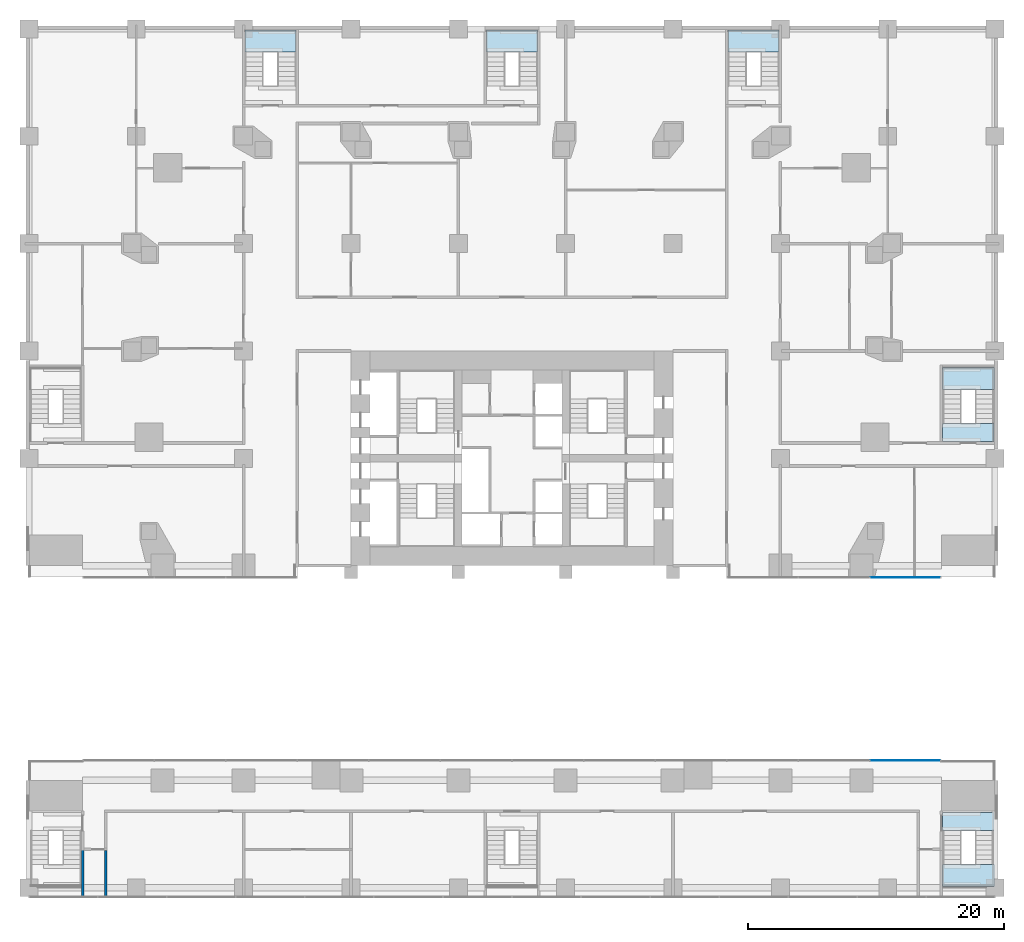
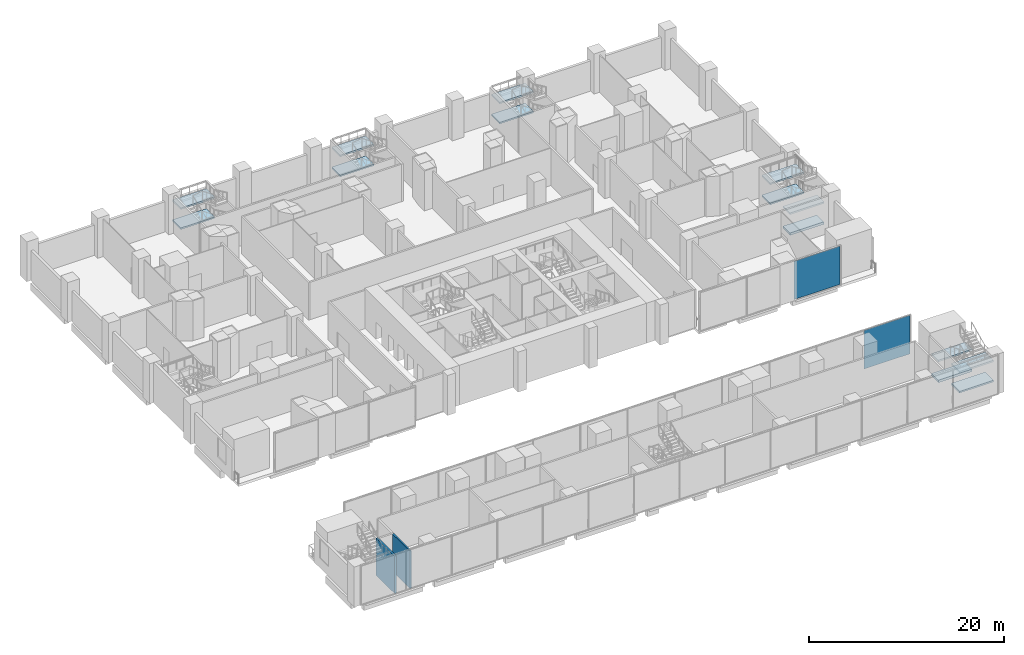
# One storey, part 10 of 24: 14 slabs, 2 plates, 2 walls, 7 elements without a shape of their own.
"""IFC4 building model written with IfcOpenShell, lengths in metres."""

import ifcopenshell
import ifcopenshell.guid

model = None  # the IFC model being written
_history = None  # IfcOwnerHistory: only IFC2X3 demands one
_inside = {}  # id of a spatial element -> (the spatial element, [elements in it])
_under = {}  # id of a project, library or spatial element -> (it, [spatial elements below it])
_declared = {}  # id of a project -> (the project, [libraries it declares])
_typed = {}  # id of a type object -> (the type object, [elements of that type])
_made_of = {}  # id of a material, layer set ... -> (it, [elements and type objects made of it])


def new_model(schema):
    """Start an empty IFC model of exactly this schema.

    Asked for "IFC4X3", IfcOpenShell would pick the latest addendum, in which some entities
    have other attributes; the version numbers below select the first issue.
    IFC2X3 requires an IfcOwnerHistory on every rooted entity: one is made here for all.
    """
    global model, _history
    if schema == "IFC4X3":
        model = ifcopenshell.file(schema_version=(4, 3, 0, 0))
    else:
        model = ifcopenshell.file(schema=schema)
    _inside.clear()
    _under.clear()
    _declared.clear()
    _typed.clear()
    _made_of.clear()
    _history = None
    if model.schema == "IFC2X3":
        org = make("IfcOrganization", Name="unknown")
        user = make(
            "IfcPersonAndOrganization",
            ThePerson=make("IfcPerson", FamilyName="unknown"),
            TheOrganization=org,
        )
        app = make(
            "IfcApplication",
            ApplicationDeveloper=org,
            Version="unknown",
            ApplicationFullName="unknown",
            ApplicationIdentifier="unknown",
        )
        _history = make(
            "IfcOwnerHistory",
            OwningUser=user,
            OwningApplication=app,
            ChangeAction="ADDED",
            CreationDate=0,
        )
    return model


def make(cls, **values):
    """One entity of the class cls with the attributes given. An attribute that is None is left unset."""
    return model.create_entity(
        cls, **{name: value for name, value in values.items() if value is not None}
    )


def rooted(cls, **values):
    """An entity with a GlobalId (a new one), such as an element, a storey or a relation."""
    return make(cls, GlobalId=ifcopenshell.guid.new(), OwnerHistory=_history, **values)


def si_unit(unit_type, name, prefix=None):
    """IfcSIUnit, for example si_unit("LENGTHUNIT", "METRE", prefix="MILLI")."""
    return make("IfcSIUnit", UnitType=unit_type, Prefix=prefix, Name=name)


def assignment(units):
    """IfcUnitAssignment: the units of a project."""
    return None if units is None else make("IfcUnitAssignment", Units=units)


def point(xyz):
    """IfcCartesianPoint."""
    return None if xyz is None else make("IfcCartesianPoint", Coordinates=xyz)


def direction(xyz):
    """IfcDirection."""
    return None if xyz is None else make("IfcDirection", DirectionRatios=xyz)


def frame(location, z_axis=None, x_axis=None):
    """IfcAxis2Placement3D, a coordinate frame: its origin and axes. An axis left out is left unset."""
    return make(
        "IfcAxis2Placement3D",
        Location=point(location),
        Axis=direction(z_axis),
        RefDirection=direction(x_axis),
    )


def frame_2d(location, x_axis=None):
    """IfcAxis2Placement2D, a coordinate frame in the plane: its origin and x axis."""
    return make(
        "IfcAxis2Placement2D", Location=point(location), RefDirection=direction(x_axis)
    )


def origin():
    """The frame at (0, 0, 0) with its axes left unset."""
    return frame((0.0, 0.0, 0.0))


def origin_2d():
    """The frame at (0, 0) in the plane with its x axis left unset."""
    return frame_2d((0.0, 0.0))


def place(relative_to, where):
    """IfcLocalPlacement: puts the frame where relative to a parent placement (None: the world)."""
    return make(
        "IfcLocalPlacement", PlacementRelTo=relative_to, RelativePlacement=where
    )


def context(
    kind, dimensions, precision=None, world=None, true_north=None, identifier=None
):
    """IfcGeometricRepresentationContext, for example the 3D "Model" context."""
    return make(
        "IfcGeometricRepresentationContext",
        ContextIdentifier=identifier,
        ContextType=kind,
        CoordinateSpaceDimension=dimensions,
        Precision=precision,
        WorldCoordinateSystem=world,
        TrueNorth=true_north,
    )


def subcontext(parent, identifier, kind, view, scale=None):
    """IfcGeometricRepresentationSubContext, for example "Body" below "Model"."""
    return make(
        "IfcGeometricRepresentationSubContext",
        ContextIdentifier=identifier,
        ContextType=kind,
        ParentContext=parent,
        TargetScale=scale,
        TargetView=view,
    )


def project(units=None, contexts=None):
    """IfcProject with its units and contexts."""
    return rooted(
        "IfcProject",
        Name="project",
        RepresentationContexts=contexts,
        UnitsInContext=assignment(units),
    )


def spatial(cls, under=None, at=None, **own):
    """A site, building, storey or space (cls), placed at a placement, below another one or the project."""
    s = rooted(cls, ObjectPlacement=at, **own)
    if under is not None:
        _under.setdefault(under.id(), (under, []))[1].append(s)
    return s


def polyline(points):
    """IfcPolyline through the points."""
    return make("IfcPolyline", Points=[point(p) for p in points])


def profile(cls, at=None, kind="AREA", **sizes):
    """A parametric profile (cls). Its sizes go by their IFC names, for example OverallWidth=200.0."""
    return make(cls, ProfileType=kind, Position=at, **sizes)


def rectangle(**sizes):
    """IfcRectangleProfileDef."""
    return profile("IfcRectangleProfileDef", **sizes)


def outline(outer, holes=None, kind="AREA"):
    """IfcArbitraryClosedProfileDef: a profile drawn as a closed curve; with holes, ...WithVoids."""
    if holes is None:
        return make("IfcArbitraryClosedProfileDef", ProfileType=kind, OuterCurve=outer)
    return make(
        "IfcArbitraryProfileDefWithVoids",
        ProfileType=kind,
        OuterCurve=outer,
        InnerCurves=holes,
    )


def extrude(swept, where, along, depth):
    """IfcExtrudedAreaSolid: the profile swept, set in the frame where, extruded along a direction by depth."""
    return make(
        "IfcExtrudedAreaSolid",
        SweptArea=swept,
        Position=where,
        ExtrudedDirection=direction(along),
        Depth=depth,
    )


def shape(context_of_items, identifier, shape_type, items):
    """IfcShapeRepresentation: the items that make up one representation, for example the "Body"."""
    return make(
        "IfcShapeRepresentation",
        ContextOfItems=context_of_items,
        RepresentationIdentifier=identifier,
        RepresentationType=shape_type,
        Items=items,
    )


def material(Name=None, Category=None):
    """IfcMaterial."""
    return make("IfcMaterial", Name=Name, Category=Category)


def layer(
    of_material, thickness, ventilated=None, Name=None, Category=None, Priority=None
):
    """IfcMaterialLayer: one layer of a wall or slab, of a material (None: an air gap)."""
    return make(
        "IfcMaterialLayer",
        Material=of_material,
        LayerThickness=thickness,
        IsVentilated=ventilated,
        Name=Name,
        Category=Category,
        Priority=Priority,
    )


def layer_set(layers, Name=None):
    """IfcMaterialLayerSet."""
    return make("IfcMaterialLayerSet", MaterialLayers=layers, LayerSetName=Name)


def made_of(thing, what):
    """Note that an element or type object is made of a material, layer set ...; save() writes the relation."""
    if what is not None:
        _made_of.setdefault(what.id(), (what, []))[1].append(thing)
    return thing


def type_object(cls, material=None, **own):
    """A type object (cls), such as IfcWallType, which elements share."""
    return made_of(rooted(cls, **own), material)


def element(
    cls,
    number,
    at=None,
    inside=None,
    cuts=None,
    type_object=None,
    material=None,
    context=None,
    identifier="Body",
    shape_type=None,
    held_by="IfcProductDefinitionShape",
    body=None,
    shapes=None,
    **own,
):
    """One element of the class cls, such as IfcWall. Its Tag is "e" and its number.

    at: its placement. inside: the storey or other place that contains it. cuts: it is an
    opening in that element (IfcRelVoidsElement). A single representation is given by context,
    identifier, shape_type and body (its items); several are given by shapes. held_by: the class
    of the entity that holds the representations. save() writes the other relations.
    """
    e = rooted(cls, Tag="e%d" % number, ObjectPlacement=at, **own)
    if body is not None:
        shapes = [shape(context, identifier, shape_type, body)]
    if shapes is not None:
        e.Representation = make(held_by, Representations=shapes)
    if inside is not None:
        _inside.setdefault(inside.id(), (inside, []))[1].append(e)
    if cuts is not None:
        rooted(
            "IfcRelVoidsElement", RelatingBuildingElement=cuts, RelatedOpeningElement=e
        )
    if type_object is not None:
        _typed.setdefault(type_object.id(), (type_object, []))[1].append(e)
    return made_of(e, material)


def aggregate(whole, parts):
    """IfcRelAggregates: a whole, such as a stair, and the parts it consists of."""
    return rooted("IfcRelAggregates", RelatingObject=whole, RelatedObjects=parts)


def save(model, path):
    """Write the relations noted so far, then the file.

    IfcRelAggregates (storeys below a building ...), IfcRelContainedInSpatialStructure (elements
    in a storey), IfcRelDefinesByType, IfcRelAssociatesMaterial and IfcRelDeclares: one each for
    every whole, place, type object, material and project.
    """
    for whole, parts in _under.values():
        aggregate(whole, parts)
    for where, things in _inside.values():
        rooted(
            "IfcRelContainedInSpatialStructure",
            RelatedElements=things,
            RelatingStructure=where,
        )
    for kind, things in _typed.values():
        rooted("IfcRelDefinesByType", RelatedObjects=things, RelatingType=kind)
    for what, things in _made_of.values():
        rooted("IfcRelAssociatesMaterial", RelatedObjects=things, RelatingMaterial=what)
    for by, libraries in _declared.values():
        rooted("IfcRelDeclares", RelatingContext=by, RelatedDefinitions=libraries)
    model.write(path)


model = new_model("IFC4")

# Units and contexts
model_context = context("Model", 3, precision=1e-05, world=origin(), true_north=direction((0.0, 1.0)))
body_context = subcontext(model_context, "Body", "Model", "MODEL_VIEW")
ifc_project = project(units=[si_unit("LENGTHUNIT", "METRE"), si_unit("AREAUNIT", "SQUARE_METRE"), si_unit("VOLUMEUNIT", "CUBIC_METRE"), si_unit("PLANEANGLEUNIT", "RADIAN"), si_unit("MASSUNIT", "GRAM", prefix="KILO")], contexts=[model_context])

# Site, building, storey
site_placement = place(None, origin())
site = spatial("IfcSite", under=ifc_project, at=site_placement, CompositionType="ELEMENT")
building_placement = place(site_placement, origin())
building = spatial("IfcBuilding", under=site, at=building_placement, Name="Marenta Gate Hotel Tower", CompositionType="ELEMENT")
storey_placement = place(building_placement, frame((0.0, 0.0, 8.0)))
storey = spatial("IfcBuildingStorey", under=building, at=storey_placement, Name="L01", CompositionType="ELEMENT", Elevation=8.0)

# Stair, slabs
ifc_material_1 = material(Name="Concrete C40", Category="concrete")
stair_type = type_object("IfcStairType", Name="Podium exit stair 1430 wide", PredefinedType="HALF_TURN_STAIR", material=ifc_material_1)
stair_1_placement = place(storey_placement, origin())
stair_1 = element("IfcStair", 1, at=stair_1_placement, inside=storey, type_object=stair_type, Name="Podium exit stair 2", PredefinedType="HALF_TURN_STAIR")
ifc_material_2 = material(Name="Concrete C40", Category="concrete")
ifc_layer_1 = layer(ifc_material_2, 0.199951171875)
ifc_layer_set_1 = layer_set([ifc_layer_1], Name="Concrete C40")
slab_type_1 = type_object("IfcSlabType", Name="Core stair landing 200", PredefinedType="LANDING", material=ifc_layer_set_1)
slab_1_placement = place(storey_placement, frame((0.0, 0.0, 1.050048828125)))
slab_1 = element("IfcSlab", 2, at=slab_1_placement, type_object=slab_type_1, Name="SL-200 PX2 landing 1", PredefinedType="LANDING", context=body_context, shape_type="SweptSolid", body=[
    extrude(outline(polyline([(33.699951171875, -25.10009765625), (37.739990234375, -25.10009765625), (37.739990234375, -23.389892578125), (33.699951171875, -23.389892578125), (33.699951171875, -25.10009765625)])), origin(), (0.0, 0.0, 1.0), 0.199951171875),
])
slab_2_placement = place(storey_placement, frame((0.0, 0.0, 2.300048828125)))
slab_2 = element("IfcSlab", 3, at=slab_2_placement, type_object=slab_type_1, Name="SL-200 PX2 landing 2", PredefinedType="LANDING", context=body_context, shape_type="SweptSolid", body=[
    extrude(outline(polyline([(33.699951171875, -20.72998046875), (37.739990234375, -20.72998046875), (37.739990234375, -19.300048828125), (33.699951171875, -19.300048828125), (33.699951171875, -20.72998046875)])), origin(), (0.0, 0.0, 1.0), 0.199951171875),
])
slab_3_placement = place(storey_placement, frame((0.0, 0.0, 3.550048828125)))
slab_3 = element("IfcSlab", 4, at=slab_3_placement, type_object=slab_type_1, Name="SL-200 PX2 landing 3", PredefinedType="LANDING", context=body_context, shape_type="SweptSolid", body=[
    extrude(outline(polyline([(33.699951171875, -25.10009765625), (37.739990234375, -25.10009765625), (37.739990234375, -23.389892578125), (33.699951171875, -23.389892578125), (33.699951171875, -25.10009765625)])), origin(), (0.0, 0.0, 1.0), 0.199951171875),
])
aggregate(stair_1, [slab_1, slab_2, slab_3])

stair_2_placement = place(storey_placement, origin())
stair_2 = element("IfcStair", 5, at=stair_2_placement, inside=storey, type_object=stair_type, Name="Podium exit stair 3", PredefinedType="HALF_TURN_STAIR")
slab_4_placement = place(storey_placement, frame((0.0, 0.0, 1.050048828125)))
slab_4 = element("IfcSlab", 6, at=slab_4_placement, type_object=slab_type_1, Name="SL-200 PX3 landing 1", PredefinedType="LANDING", context=body_context, shape_type="SweptSolid", body=[
    extrude(outline(polyline([(-20.89990234375, 40.18994140625), (-16.89990234375, 40.18994140625), (-16.89990234375, 41.89990234375), (-20.89990234375, 41.89990234375), (-20.89990234375, 40.18994140625)])), origin(), (0.0, 0.0, 1.0), 0.199951171875),
])
slab_5_placement = place(storey_placement, frame((0.0, 0.0, 3.550048828125)))
slab_5 = element("IfcSlab", 7, at=slab_5_placement, type_object=slab_type_1, Name="SL-200 PX3 landing 3", PredefinedType="LANDING", context=body_context, shape_type="SweptSolid", body=[
    extrude(outline(polyline([(-20.89990234375, 40.18994140625), (-16.89990234375, 40.18994140625), (-16.89990234375, 41.89990234375), (-20.89990234375, 41.89990234375), (-20.89990234375, 40.18994140625)])), origin(), (0.0, 0.0, 1.0), 0.199951171875),
])
aggregate(stair_2, [slab_4, slab_5])

stair_3_placement = place(storey_placement, origin())
stair_3 = element("IfcStair", 8, at=stair_3_placement, inside=storey, type_object=stair_type, Name="Podium exit stair 4", PredefinedType="HALF_TURN_STAIR")
slab_6_placement = place(storey_placement, frame((0.0, 0.0, 1.050048828125)))
slab_6 = element("IfcSlab", 9, at=slab_6_placement, type_object=slab_type_1, Name="SL-200 PX4 landing 1", PredefinedType="LANDING", context=body_context, shape_type="SweptSolid", body=[
    extrude(outline(polyline([(16.89990234375, 40.18994140625), (20.89990234375, 40.18994140625), (20.89990234375, 41.89990234375), (16.89990234375, 41.89990234375), (16.89990234375, 40.18994140625)])), origin(), (0.0, 0.0, 1.0), 0.199951171875),
])
slab_7_placement = place(storey_placement, frame((0.0, 0.0, 3.550048828125)))
slab_7 = element("IfcSlab", 10, at=slab_7_placement, type_object=slab_type_1, Name="SL-200 PX4 landing 3", PredefinedType="LANDING", context=body_context, shape_type="SweptSolid", body=[
    extrude(outline(polyline([(16.89990234375, 40.18994140625), (20.89990234375, 40.18994140625), (20.89990234375, 41.89990234375), (16.89990234375, 41.89990234375), (16.89990234375, 40.18994140625)])), origin(), (0.0, 0.0, 1.0), 0.199951171875),
])
aggregate(stair_3, [slab_6, slab_7])

stair_4_placement = place(storey_placement, origin())
stair_4 = element("IfcStair", 11, at=stair_4_placement, inside=storey, type_object=stair_type, Name="Podium exit stair 7", PredefinedType="HALF_TURN_STAIR")
slab_8_placement = place(storey_placement, frame((0.0, 0.0, 1.050048828125)))
slab_8 = element("IfcSlab", 12, at=slab_8_placement, type_object=slab_type_1, Name="SL-200 PX7 landing 1", PredefinedType="LANDING", context=body_context, shape_type="SweptSolid", body=[
    extrude(outline(polyline([(33.699951171875, 13.7900390625), (37.739990234375, 13.7900390625), (37.739990234375, 15.5), (33.699951171875, 15.5), (33.699951171875, 13.7900390625)])), origin(), (0.0, 0.0, 1.0), 0.199951171875),
])
slab_9_placement = place(storey_placement, frame((0.0, 0.0, 2.300048828125)))
slab_9 = element("IfcSlab", 13, at=slab_9_placement, type_object=slab_type_1, Name="SL-200 PX7 landing 2", PredefinedType="LANDING", context=body_context, shape_type="SweptSolid", body=[
    extrude(outline(polyline([(33.699951171875, 9.699951171875), (37.739990234375, 9.699951171875), (37.739990234375, 11.1298828125), (33.699951171875, 11.1298828125), (33.699951171875, 9.699951171875)])), origin(), (0.0, 0.0, 1.0), 0.199951171875),
])
slab_10_placement = place(storey_placement, frame((0.0, 0.0, 3.550048828125)))
slab_10 = element("IfcSlab", 14, at=slab_10_placement, type_object=slab_type_1, Name="SL-200 PX7 landing 3", PredefinedType="LANDING", context=body_context, shape_type="SweptSolid", body=[
    extrude(outline(polyline([(33.699951171875, 13.7900390625), (37.739990234375, 13.7900390625), (37.739990234375, 15.5), (33.699951171875, 15.5), (33.699951171875, 13.7900390625)])), origin(), (0.0, 0.0, 1.0), 0.199951171875),
])
aggregate(stair_4, [slab_8, slab_9, slab_10])

stair_5_placement = place(storey_placement, origin())
stair_5 = element("IfcStair", 15, at=stair_5_placement, inside=storey, type_object=stair_type, Name="Podium exit stair 8", PredefinedType="HALF_TURN_STAIR")
slab_11_placement = place(storey_placement, frame((0.0, 0.0, 1.050048828125)))
slab_11 = element("IfcSlab", 16, at=slab_11_placement, type_object=slab_type_1, Name="SL-200 PX8 landing 1", PredefinedType="LANDING", context=body_context, shape_type="SweptSolid", body=[
    extrude(outline(polyline([(-2.0, 40.18994140625), (2.0, 40.18994140625), (2.0, 41.89990234375), (-2.0, 41.89990234375), (-2.0, 40.18994140625)])), origin(), (0.0, 0.0, 1.0), 0.199951171875),
])
slab_12_placement = place(storey_placement, frame((0.0, 0.0, 3.550048828125)))
slab_12 = element("IfcSlab", 17, at=slab_12_placement, type_object=slab_type_1, Name="SL-200 PX8 landing 3", PredefinedType="LANDING", context=body_context, shape_type="SweptSolid", body=[
    extrude(outline(polyline([(-2.0, 40.18994140625), (2.0, 40.18994140625), (2.0, 41.89990234375), (-2.0, 41.89990234375), (-2.0, 40.18994140625)])), origin(), (0.0, 0.0, 1.0), 0.199951171875),
])
aggregate(stair_5, [slab_11, slab_12])

# Curtain wall, plate
ifc_material_3 = material(Name="Tinted insulated glass in bronze anodised frame", Category="glass")
ifc_layer_2 = layer(ifc_material_3, 0.1298828125)
ifc_layer_set_2 = layer_set([ifc_layer_2], Name="Tinted insulated glass in bronze anodised frame")
curtain_wall_type_1 = type_object("IfcCurtainWallType", Name="Podium shopfront glazing CW5", PredefinedType="NOTDEFINED", material=ifc_layer_set_2)
curtain_wall_1_placement = place(storey_placement, origin())
curtain_wall_1 = element("IfcCurtainWall", 18, at=curtain_wall_1_placement, inside=storey, type_object=curtain_wall_type_1, Name="CW5 run SB-N000", PredefinedType="NOTDEFINED")
ifc_material_4 = material(Name="Tinted insulated glass", Category="glass")
ifc_layer_3 = layer(ifc_material_4, 0.033935546875)
ifc_layer_set_3 = layer_set([ifc_layer_3], Name="Tinted insulated glass")
plate_type_1 = type_object("IfcPlateType", Name="Glass panel CW5 34 mm tinted insulated unit", PredefinedType="CURTAIN_PANEL", material=ifc_layer_set_3)
plate_1_placement = place(storey_placement, frame((30.780029296875, -15.255859375, 0.080078125), z_axis=(0.0, 0.0, 1.0), x_axis=(-1.0, 0.0, 0.0)))
plate_1 = element("IfcPlate", 19, at=plate_1_placement, type_object=plate_type_1, Name="CW5 panel 1.1", PredefinedType="CURTAIN_PANEL", context=body_context, shape_type="SweptSolid", body=[
    extrude(rectangle(XDim=5.47998046875, YDim=0.033935546875, at=origin_2d()), origin(), (0.0, 0.0, 1.0), 4.840087890625),
])
aggregate(curtain_wall_1, [plate_1])

ifc_material_5 = material(Name="Tinted insulated glass in bronze anodised frame", Category="glass")
ifc_layer_4 = layer(ifc_material_5, 0.139892578125)
ifc_layer_set_4 = layer_set([ifc_layer_4], Name="Tinted insulated glass in bronze anodised frame")
curtain_wall_type_2 = type_object("IfcCurtainWallType", Name="Hotel lobby glazing CW6", PredefinedType="NOTDEFINED", material=ifc_layer_set_4)
curtain_wall_2_placement = place(storey_placement, origin())
curtain_wall_2 = element("IfcCurtainWall", 20, at=curtain_wall_2_placement, inside=storey, type_object=curtain_wall_type_2, Name="CW6 run NB-S100", PredefinedType="NOTDEFINED")
ifc_material_6 = material(Name="Tinted insulated glass", Category="glass")
ifc_layer_5 = layer(ifc_material_6, 0.0439453125)
ifc_layer_set_5 = layer_set([ifc_layer_5], Name="Tinted insulated glass")
plate_type_2 = type_object("IfcPlateType", Name="Glass panel CW6 44 mm tinted insulated unit", PredefinedType="CURTAIN_PANEL", material=ifc_layer_set_5)
plate_2_placement = place(storey_placement, frame((30.77490234375, -0.924072265625, 0.10009765625), z_axis=(0.0, 0.0, 1.0), x_axis=(1.0, 0.0, 0.0)))
plate_2 = element("IfcPlate", 21, at=plate_2_placement, type_object=plate_type_2, Name="CW6 panel 3.1", PredefinedType="CURTAIN_PANEL", context=body_context, shape_type="SweptSolid", body=[
    extrude(rectangle(XDim=5.449951171875, YDim=0.0439453125, at=origin_2d()), origin(), (0.0, 0.0, 1.0), 4.800048828125),
])
aggregate(curtain_wall_2, [plate_2])

# Slabs
ifc_material_7 = material(Name="Concrete C40", Category="concrete")
ifc_layer_6 = layer(ifc_material_7, 0.300048828125)
ifc_layer_set_6 = layer_set([ifc_layer_6], Name="Concrete C40")
slab_type_2 = type_object("IfcSlabType", Name="Stair floor landing slab 300", PredefinedType="FLOOR", material=ifc_layer_set_6)
slab_13_placement = place(storey_placement, frame((0.0, 0.0, -0.300048828125)))
element("IfcSlab", 22, at=slab_13_placement, inside=storey, type_object=slab_type_2, Name="L01-CL-PX2-1", PredefinedType="FLOOR", context=body_context, shape_type="SweptSolid", body=[
    extrude(outline(polyline([(37.699951171875, -20.72998046875), (33.699951171875, -20.72998046875), (33.699951171875, -19.300048828125), (37.699951171875, -19.300048828125), (37.699951171875, -20.72998046875)])), origin(), (0.0, 0.0, 1.0), 0.300048828125),
])
slab_14_placement = place(storey_placement, frame((0.0, 0.0, -0.300048828125)))
element("IfcSlab", 23, at=slab_14_placement, inside=storey, type_object=slab_type_2, Name="L01-CL-PX7-1", PredefinedType="FLOOR", context=body_context, shape_type="SweptSolid", body=[
    extrude(outline(polyline([(37.699951171875, 9.699951171875), (33.699951171875, 9.699951171875), (33.699951171875, 11.1298828125), (37.699951171875, 11.1298828125), (37.699951171875, 9.699951171875)])), origin(), (0.0, 0.0, 1.0), 0.300048828125),
])

# Walls
ifc_material_8 = material(Name="Concrete blockwork", Category="masonry")
ifc_layer_7 = layer(ifc_material_8, 0.199951171875)
ifc_layer_set_7 = layer_set([ifc_layer_7], Name="Concrete blockwork")
wall_type_1 = type_object("IfcWallType", Name="Room party wall 200 EI 120", PredefinedType="PARTITIONING", material=ifc_layer_set_7)
wall_1_placement = place(storey_placement, frame((-31.800048828125, -25.888916015625, 0.0), z_axis=(0.0, 0.0, 1.0), x_axis=(0.0, 1.0, 0.0)))
element("IfcWall", 24, at=wall_1_placement, inside=storey, type_object=wall_type_1, Name="L01-PTN-W065", PredefinedType="PARTITIONING", context=body_context, shape_type="SweptSolid", body=[
    extrude(rectangle(XDim=3.5888671875, YDim=0.199951171875, at=frame_2d((1.79443359375, 0.0))), origin(), (0.0, 0.0, 1.0), 4.679931640625),
])
ifc_material_9 = material(Name="Concrete blockwork", Category="masonry")
ifc_layer_8 = layer(ifc_material_9, 0.199951171875)
ifc_layer_set_8 = layer_set([ifc_layer_8], Name="Concrete blockwork")
wall_type_2 = type_object("IfcWallType", Name="Room party wall 200 REI 180", PredefinedType="PARTITIONING", material=ifc_layer_set_8)
wall_2_placement = place(storey_placement, frame((-33.60009765625, -25.888916015625, 0.0), z_axis=(0.0, 0.0, 1.0), x_axis=(0.0, 1.0, 0.0)))
element("IfcWall", 25, at=wall_2_placement, inside=storey, type_object=wall_type_2, Name="L01-PTN-W067", PredefinedType="PARTITIONING", context=body_context, shape_type="SweptSolid", body=[
    extrude(rectangle(XDim=3.788818359375, YDim=0.199951171875, at=frame_2d((1.89453125, 0.0))), origin(), (0.0, 0.0, 1.0), 4.679931640625),
])

save(model, "model.ifc")
